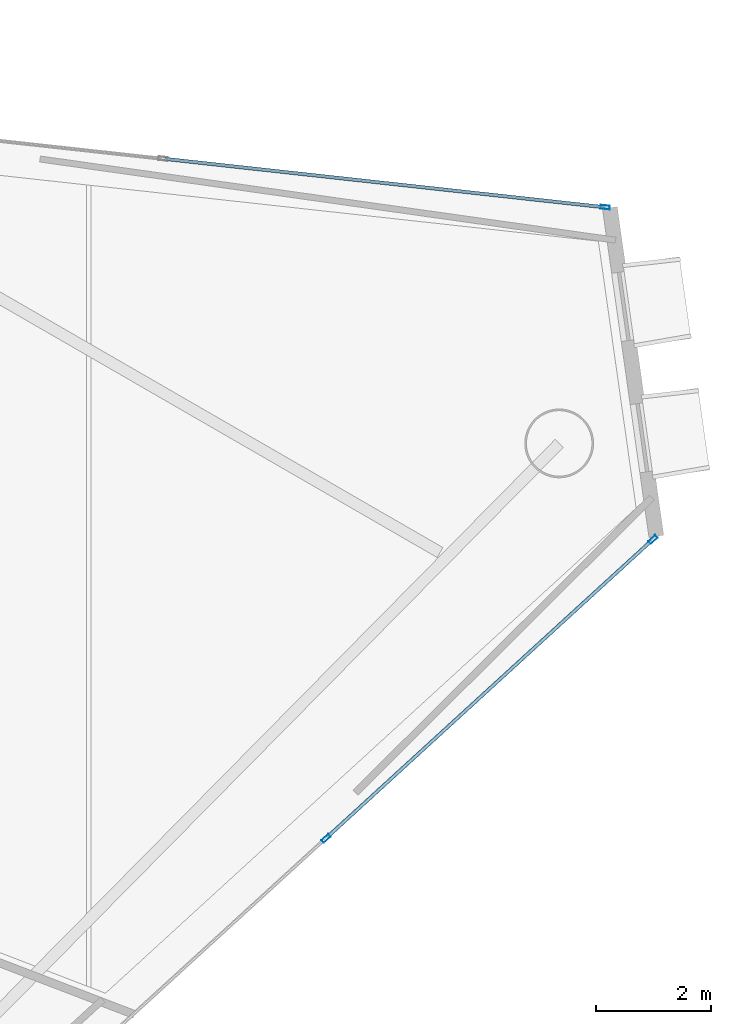
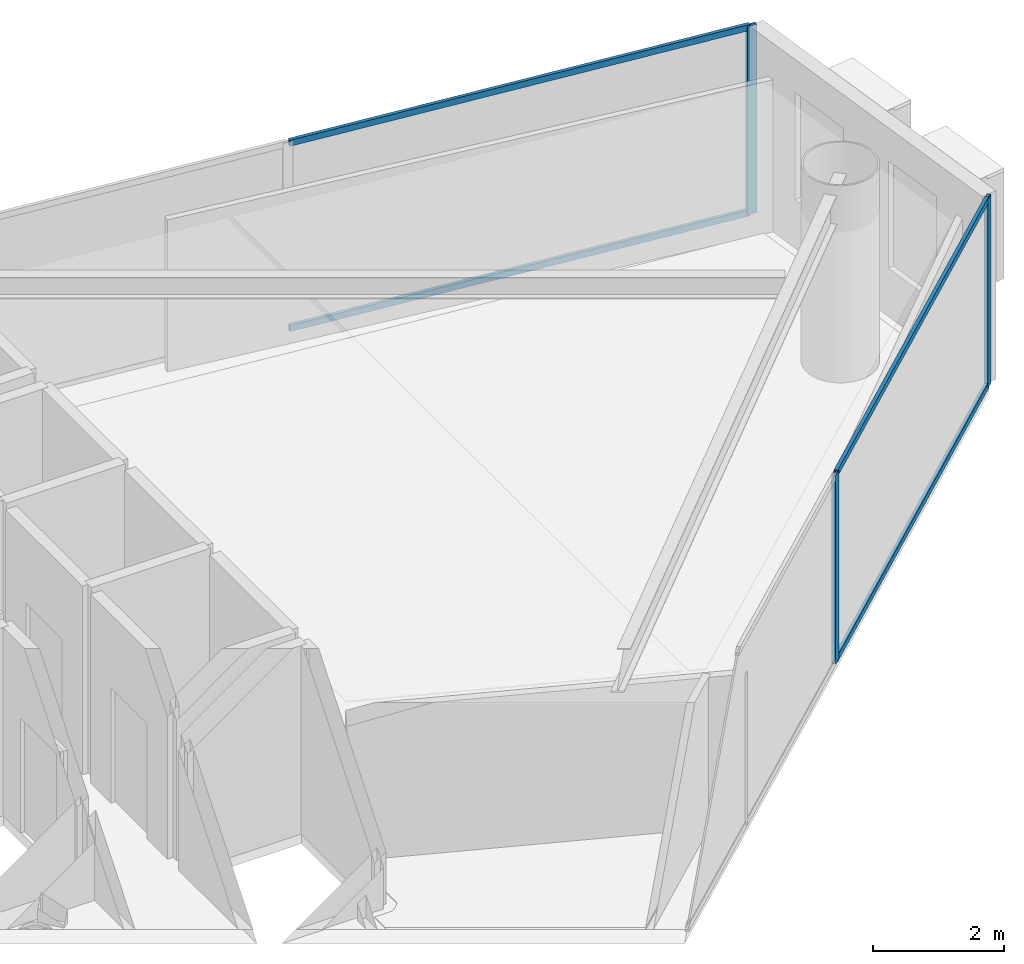
# One storey, part 16 of 24: 7 members, 2 elements without a shape of their own.
"""IFC4 building model written with IfcOpenShell, lengths in metres."""

from ifc_helpers import new_model, si_unit, direction, frame, origin, origin_2d, place, context, subcontext, project, spatial, hollow_rectangle, extrude, material, layer, layer_set, material_profile, profile_set, type_object, element, aggregate, save


model = new_model("IFC4")

# Units and contexts
model_context = context("Model", 3, precision=1e-05, world=origin(), true_north=direction((0.0, 1.0)))
body_context = subcontext(model_context, "Body", "Model", "MODEL_VIEW")
ifc_project = project(units=[si_unit("LENGTHUNIT", "METRE"), si_unit("AREAUNIT", "SQUARE_METRE"), si_unit("VOLUMEUNIT", "CUBIC_METRE"), si_unit("PLANEANGLEUNIT", "RADIAN"), si_unit("MASSUNIT", "GRAM", prefix="KILO")], contexts=[model_context])

# Site, building, storey
site_placement = place(None, origin())
site = spatial("IfcSite", under=ifc_project, at=site_placement, CompositionType="ELEMENT")
building_placement = place(site_placement, origin())
building = spatial("IfcBuilding", under=site, at=building_placement, Name="Qianvela Tower", CompositionType="ELEMENT")
storey_placement = place(building_placement, frame((0.0, 0.0, 222.5)))
storey = spatial("IfcBuildingStorey", under=building, at=storey_placement, Name="L57", CompositionType="ELEMENT", Elevation=222.5)

# Curtain wall, member
ifc_material_1 = material(Name="Anodised Architectural Aluminium and Low-E Glass", Category="aluminium")
ifc_layer = layer(ifc_material_1, 0.159912109375)
ifc_layer_set = layer_set([ifc_layer], Name="Anodised Architectural Aluminium and Low-E Glass")
curtain_wall_type = type_object("IfcCurtainWallType", Name="CW-COLIV-Z56", PredefinedType="USERDEFINED", material=ifc_layer_set)
curtain_wall_1_placement = place(storey_placement, origin())
curtain_wall_1 = element("IfcCurtainWall", 1, at=curtain_wall_1_placement, inside=storey, type_object=curtain_wall_type, Name="L57 CW-COLIV-Z56 Curtain Wall 02A", ObjectType="CURTAIN_WALL_SYSTEM", PredefinedType="USERDEFINED")
ifc_material_2 = material(Name="Anodised Architectural Aluminium 6063-T6", Category="aluminium")
ifc_material_profile_1 = material_profile(ifc_material_2, hollow_rectangle(XDim=0.06494140625, YDim=0.159912109375, WallThickness=0.0048828125, at=origin_2d()), Name="ALU-MULL-65x160")
ifc_profile_set_1 = profile_set([ifc_material_profile_1], Name="Anodised Architectural Aluminium 6063-T6")
member_type_1 = type_object("IfcMemberType", Name="CW-COLIV-Z56-MULL", PredefinedType="MULLION", material=ifc_profile_set_1)
member_1_placement = place(storey_placement, frame((57.6982421875, 35.384521484375, 0.0), z_axis=(0.0, 0.0, 1.0), x_axis=(-0.109261283012, -0.994013064318, 0.0)))
member_1 = element("IfcMember", 2, at=member_1_placement, type_object=member_type_1, Name="CW-5 mullion 1", PredefinedType="MULLION", context=body_context, shape_type="SweptSolid", body=[
    extrude(hollow_rectangle(XDim=0.06494140625, YDim=0.159912109375, WallThickness=0.0048828125, at=origin_2d()), origin(), (0.0, 0.0, 1.0), 3.52001953125),
])

# Curtain wall, members
curtain_wall_2_placement = place(storey_placement, origin())
curtain_wall_2 = element("IfcCurtainWall", 3, at=curtain_wall_2_placement, inside=storey, type_object=curtain_wall_type, Name="L57 CW-COLIV-Z56 Curtain Wall 06C", ObjectType="CURTAIN_WALL_SYSTEM", PredefinedType="USERDEFINED")
member_2_placement = place(storey_placement, frame((52.831787109375, 24.38720703125, 0.0), z_axis=(0.0, 0.0, 1.0), x_axis=(-0.674728646967, 0.738065886599, 0.0)))
member_2 = element("IfcMember", 4, at=member_2_placement, type_object=member_type_1, Name="CW-5 mullion 2", PredefinedType="MULLION", context=body_context, shape_type="SweptSolid", body=[
    extrude(hollow_rectangle(XDim=0.06494140625, YDim=0.159912109375, WallThickness=0.0048828125, at=origin_2d()), origin(), (0.0, 0.0, 1.0), 3.52001953125),
])
member_3_placement = place(storey_placement, frame((58.529541015625, 29.595947265625, 0.0), z_axis=(0.0, 0.0, 1.0), x_axis=(-0.674728646967, 0.738065886599, 0.0)))
member_3 = element("IfcMember", 5, at=member_3_placement, type_object=member_type_1, Name="CW-5 mullion 3", PredefinedType="MULLION", context=body_context, shape_type="SweptSolid", body=[
    extrude(hollow_rectangle(XDim=0.06494140625, YDim=0.159912109375, WallThickness=0.0048828125, at=origin_2d()), origin(), (0.0, 0.0, 1.0), 3.52001953125),
])

# Member
ifc_material_3 = material(Name="Anodised Architectural Aluminium 6063-T6", Category="aluminium")
ifc_material_profile_2 = material_profile(ifc_material_3, hollow_rectangle(XDim=0.06005859375, YDim=0.114990234375, WallThickness=0.00390625, at=origin_2d()), Name="ALU-TRAN-60x115")
ifc_profile_set_2 = profile_set([ifc_material_profile_2], Name="Anodised Architectural Aluminium 6063-T6")
member_type_2 = type_object("IfcMemberType", Name="CW-COLIV-Z56-TRAN", PredefinedType="USERDEFINED", material=ifc_profile_set_2)
member_4_placement = place(storey_placement, frame((57.665771484375, 35.387939453125, 0.030029296875), z_axis=(-0.994010877833, 0.109281172901, 0.0), x_axis=(-0.109281172901, -0.994010877833, 0.0)))
member_4 = element("IfcMember", 6, at=member_4_placement, type_object=member_type_2, Name="CW-5 transom 1.1", ObjectType="TRANSOM", PredefinedType="USERDEFINED", context=body_context, shape_type="SweptSolid", body=[
    extrude(hollow_rectangle(XDim=0.06005859375, YDim=0.114990234375, WallThickness=0.00390625, at=origin_2d()), origin(), (0.0, 0.0, 1.0), 7.6875),
])

member_5_placement = place(storey_placement, frame((57.665771484375, 35.387939453125, 3.489990234375), z_axis=(-0.994010877833, 0.109281172901, 0.0), x_axis=(-0.109281172901, -0.994010877833, 0.0)))
member_5 = element("IfcMember", 7, at=member_5_placement, type_object=member_type_2, Name="CW-5 transom 1.2", ObjectType="TRANSOM", PredefinedType="USERDEFINED", context=body_context, shape_type="SweptSolid", body=[
    extrude(hollow_rectangle(XDim=0.06005859375, YDim=0.114990234375, WallThickness=0.00390625, at=origin_2d()), origin(), (0.0, 0.0, 1.0), 7.6875),
])

aggregate(curtain_wall_1, [member_1, member_4, member_5])

member_6_placement = place(storey_placement, frame((52.85595703125, 24.4091796875, 0.030029296875), z_axis=(0.73806829229, 0.674726015444, 0.0), x_axis=(-0.674726015444, 0.73806829229, 0.0)))
member_6 = element("IfcMember", 8, at=member_6_placement, type_object=member_type_2, Name="CW-5 transom 2.1", ObjectType="TRANSOM", PredefinedType="USERDEFINED", context=body_context, shape_type="SweptSolid", body=[
    extrude(hollow_rectangle(XDim=0.06005859375, YDim=0.114990234375, WallThickness=0.00390625, at=origin_2d()), origin(), (0.0, 0.0, 1.0), 7.654541015625),
])

member_7_placement = place(storey_placement, frame((52.85595703125, 24.4091796875, 3.489990234375), z_axis=(0.73806829229, 0.674726015444, 0.0), x_axis=(-0.674726015444, 0.73806829229, 0.0)))
member_7 = element("IfcMember", 9, at=member_7_placement, type_object=member_type_2, Name="CW-5 transom 2.2", ObjectType="TRANSOM", PredefinedType="USERDEFINED", context=body_context, shape_type="SweptSolid", body=[
    extrude(hollow_rectangle(XDim=0.06005859375, YDim=0.114990234375, WallThickness=0.00390625, at=origin_2d()), origin(), (0.0, 0.0, 1.0), 7.654541015625),
])

aggregate(curtain_wall_2, [member_2, member_3, member_6, member_7])

save(model, "model.ifc")
